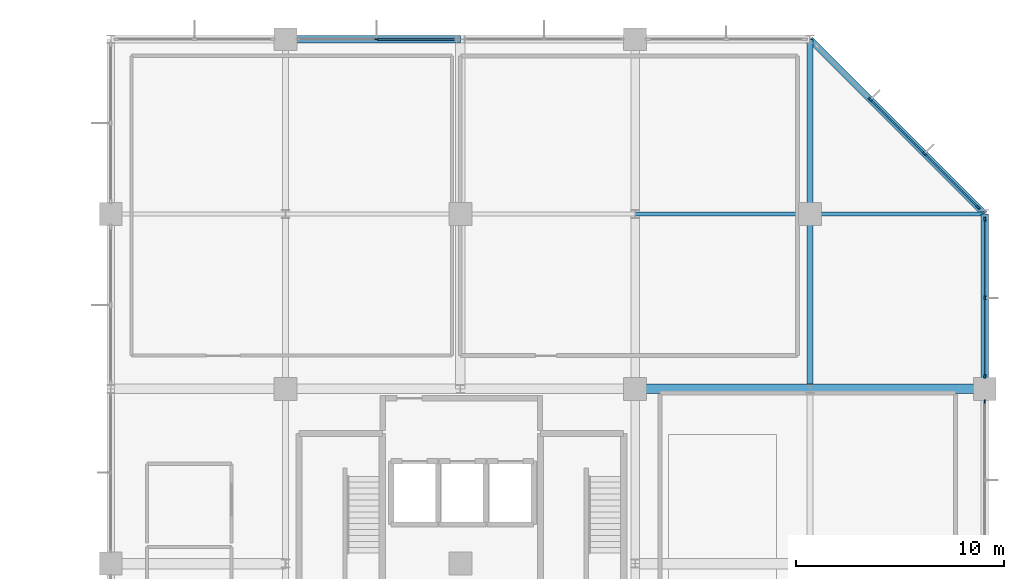
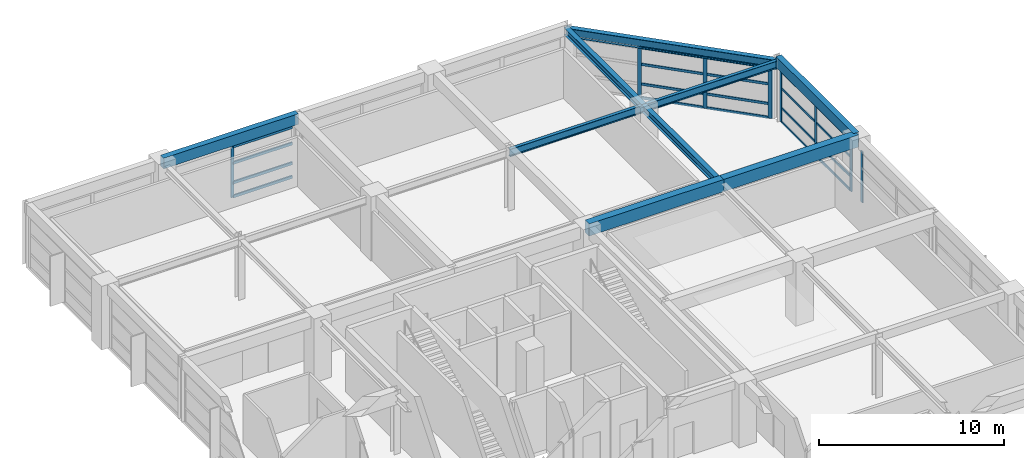
# One storey, part 10 of 18: 28 members, 9 beams, 4 elements without a shape of their own.
"""IFC4 building model written with IfcOpenShell, lengths in metres."""

from ifc_helpers import new_model, si_unit, direction, frame, origin, origin_2d, place, context, subcontext, project, spatial, rectangle, i_section, extrude, material, material_profile, profile_set, type_object, element, aggregate, save


model = new_model("IFC4")

# Units and contexts
model_context = context("Model", 3, precision=1e-05, world=origin(), true_north=direction((0.0, 1.0)))
body_context = subcontext(model_context, "Body", "Model", "MODEL_VIEW")
ifc_project = project(units=[si_unit("LENGTHUNIT", "METRE"), si_unit("AREAUNIT", "SQUARE_METRE"), si_unit("VOLUMEUNIT", "CUBIC_METRE"), si_unit("PLANEANGLEUNIT", "RADIAN"), si_unit("MASSUNIT", "GRAM", prefix="KILO")], contexts=[model_context])

# Site, building, storey
site_placement = place(None, origin())
site = spatial("IfcSite", under=ifc_project, at=site_placement, CompositionType="ELEMENT")
building_placement = place(site_placement, origin())
building = spatial("IfcBuilding", under=site, at=building_placement, Name="Xuanlan Plaza Opera House", CompositionType="ELEMENT")
storey_placement = place(building_placement, frame((0.0, 0.0, 32.10009765625)))
storey = spatial("IfcBuildingStorey", under=building, at=storey_placement, Name="L07", CompositionType="ELEMENT", Elevation=32.10009765625)

# Curtain wall, member
ifc_material_1 = material(Name="Anodised Aluminium 6063-T6 and Low-E Glass", Category="aluminium")
curtain_wall_type_1 = type_object("IfcCurtainWallType", Name="ENV-CW-CW-01", PredefinedType="USERDEFINED", material=ifc_material_1)
curtain_wall_1_placement = place(storey_placement, origin())
curtain_wall_1 = element("IfcCurtainWall", 1, at=curtain_wall_1_placement, inside=storey, type_object=curtain_wall_type_1, Name="Unitised Curtain Wall L07-008", ObjectType="UNITISED CURTAIN WALL", PredefinedType="USERDEFINED")
ifc_material_2 = material(Name="Anodised Aluminium 6063-T6", Category="aluminium")
ifc_material_profile_1 = material_profile(ifc_material_2, rectangle(XDim=0.070068359375, YDim=0.179931640625, at=origin_2d()), Name="ALU-M 70x180")
ifc_profile_set_1 = profile_set([ifc_material_profile_1], Name="Anodised Aluminium 6063-T6")
member_type_1 = type_object("IfcMemberType", Name="ENV-CWM-02", PredefinedType="MULLION", material=ifc_profile_set_1)
member_1_placement = place(storey_placement, frame((168.0, 66.594970703125, 0.0), z_axis=(0.0, 0.0, 1.0), x_axis=(-1.0, 0.0, 0.0)))
member_1 = element("IfcMember", 2, at=member_1_placement, type_object=member_type_1, Name="CW-01 mullion 3", PredefinedType="MULLION", context=body_context, shape_type="SweptSolid", body=[
    extrude(rectangle(XDim=0.070068359375, YDim=0.179931640625, at=origin_2d()), origin(), (0.0, 0.0, 1.0), 3.3798828125),
])
aggregate(curtain_wall_1, [member_1])

curtain_wall_type_2 = type_object("IfcCurtainWallType", Name="ENV-CW-CW-02", PredefinedType="USERDEFINED", material=ifc_material_1)
curtain_wall_2_placement = place(storey_placement, origin())
curtain_wall_2 = element("IfcCurtainWall", 3, at=curtain_wall_2_placement, inside=storey, type_object=curtain_wall_type_2, Name="Unitised Curtain Wall L07-013", ObjectType="UNITISED CURTAIN WALL", PredefinedType="USERDEFINED")
member_2_placement = place(storey_placement, frame((138.77490234375, 84.0, 0.0), z_axis=(0.0, 0.0, 1.0), x_axis=(0.0, -1.0, 0.0)))
member_2 = element("IfcMember", 4, at=member_2_placement, type_object=member_type_1, Name="CW-02 mullion 2", PredefinedType="MULLION", context=body_context, shape_type="SweptSolid", body=[
    extrude(rectangle(XDim=0.070068359375, YDim=0.179931640625, at=origin_2d()), origin(), (0.0, 0.0, 1.0), 3.3798828125),
])

# Curtain wall, members
curtain_wall_3_placement = place(storey_placement, origin())
curtain_wall_3 = element("IfcCurtainWall", 5, at=curtain_wall_3_placement, inside=storey, type_object=curtain_wall_type_2, Name="Unitised Curtain Wall L07-009", ObjectType="UNITISED CURTAIN WALL", PredefinedType="USERDEFINED")
ifc_material_profile_2 = material_profile(ifc_material_2, rectangle(XDim=0.074951171875, YDim=0.199951171875, at=origin_2d()), Name="ALU-M 75x200")
ifc_profile_set_2 = profile_set([ifc_material_profile_2], Name="Anodised Aluminium 6063-T6")
member_type_2 = type_object("IfcMemberType", Name="ENV-CWM-03", PredefinedType="MULLION", material=ifc_profile_set_2)
member_3_placement = place(storey_placement, frame((168.0, 67.8076171875, 0.0), z_axis=(0.0, 0.0, 1.0), x_axis=(-1.0, 0.0, 0.0)))
member_3 = element("IfcMember", 6, at=member_3_placement, type_object=member_type_2, Name="CW-02 mullion 1", PredefinedType="MULLION", context=body_context, shape_type="SweptSolid", body=[
    extrude(rectangle(XDim=0.074951171875, YDim=0.199951171875, at=origin_2d()), origin(), (0.0, 0.0, 1.0), 3.3798828125),
])
member_4_placement = place(storey_placement, frame((168.0, 71.574951171875, 0.0), z_axis=(0.0, 0.0, 1.0), x_axis=(-1.0, 0.0, 0.0)))
member_4 = element("IfcMember", 7, at=member_4_placement, type_object=member_type_2, Name="CW-02 mullion 2", PredefinedType="MULLION", context=body_context, shape_type="SweptSolid", body=[
    extrude(rectangle(XDim=0.074951171875, YDim=0.199951171875, at=origin_2d()), origin(), (0.0, 0.0, 1.0), 3.3798828125),
])
member_5_placement = place(storey_placement, frame((168.0, 75.342529296875, 0.0), z_axis=(0.0, 0.0, 1.0), x_axis=(-1.0, 0.0, 0.0)))
member_5 = element("IfcMember", 8, at=member_5_placement, type_object=member_type_2, Name="CW-02 mullion 3", PredefinedType="MULLION", context=body_context, shape_type="SweptSolid", body=[
    extrude(rectangle(XDim=0.074951171875, YDim=0.199951171875, at=origin_2d()), origin(), (0.0, 0.0, 1.0), 3.3798828125),
])

curtain_wall_type_3 = type_object("IfcCurtainWallType", Name="ENV-CW-CW-03", PredefinedType="USERDEFINED", material=ifc_material_1)
curtain_wall_4_placement = place(storey_placement, origin())
curtain_wall_4 = element("IfcCurtainWall", 9, at=curtain_wall_4_placement, inside=storey, type_object=curtain_wall_type_3, Name="Unitised Curtain Wall L07-010", ObjectType="UNITISED CURTAIN WALL", PredefinedType="USERDEFINED")
ifc_material_profile_3 = material_profile(ifc_material_2, rectangle(XDim=0.080078125, YDim=0.219970703125, at=origin_2d()), Name="ALU-M 80x220")
ifc_profile_set_3 = profile_set([ifc_material_profile_3], Name="Anodised Aluminium 6063-T6")
member_type_3 = type_object("IfcMemberType", Name="ENV-CWM-04", PredefinedType="MULLION", material=ifc_profile_set_3)
member_6_placement = place(storey_placement, frame((167.672607421875, 75.92724609375, 0.0), z_axis=(0.0, 0.0, 1.0), x_axis=(-0.707106781187, -0.707106781187, 0.0)))
member_6 = element("IfcMember", 10, at=member_6_placement, type_object=member_type_3, Name="CW-03 mullion 1", PredefinedType="MULLION", context=body_context, shape_type="SweptSolid", body=[
    extrude(rectangle(XDim=0.080078125, YDim=0.219970703125, at=origin_2d()), origin(), (0.0, 0.0, 1.0), 3.3798828125),
])
member_7_placement = place(storey_placement, frame((165.100341796875, 78.499755859375, 0.0), z_axis=(0.0, 0.0, 1.0), x_axis=(-0.707106781187, -0.707106781187, 0.0)))
member_7 = element("IfcMember", 11, at=member_7_placement, type_object=member_type_3, Name="CW-03 mullion 2", PredefinedType="MULLION", context=body_context, shape_type="SweptSolid", body=[
    extrude(rectangle(XDim=0.080078125, YDim=0.219970703125, at=origin_2d()), origin(), (0.0, 0.0, 1.0), 3.3798828125),
])
member_8_placement = place(storey_placement, frame((162.499755859375, 81.100341796875, 0.0), z_axis=(0.0, 0.0, 1.0), x_axis=(-0.707106781187, -0.707106781187, 0.0)))
member_8 = element("IfcMember", 12, at=member_8_placement, type_object=member_type_3, Name="CW-03 mullion 3", PredefinedType="MULLION", context=body_context, shape_type="SweptSolid", body=[
    extrude(rectangle(XDim=0.080078125, YDim=0.219970703125, at=origin_2d()), origin(), (0.0, 0.0, 1.0), 3.3798828125),
])

# Member
ifc_material_profile_4 = material_profile(ifc_material_2, rectangle(XDim=0.070068359375, YDim=0.135009765625, at=origin_2d()), Name="ALU-T 70x135")
ifc_profile_set_4 = profile_set([ifc_material_profile_4], Name="Anodised Aluminium 6063-T6")
member_type_4 = type_object("IfcMemberType", Name="ENV-CWT-02", PredefinedType="USERDEFINED", material=ifc_profile_set_4)
member_9_placement = place(storey_placement, frame((168.0, 67.844970703125, 0.034912109375), z_axis=(0.0, 1.0, 0.0), x_axis=(-1.0, 0.0, 0.0)))
member_9 = element("IfcMember", 13, at=member_9_placement, type_object=member_type_4, Name="CW-02 transom 1.1", ObjectType="TRANSOM", PredefinedType="USERDEFINED", context=body_context, shape_type="SweptSolid", body=[
    extrude(rectangle(XDim=0.070068359375, YDim=0.135009765625, at=origin_2d()), origin(), (0.0, 0.0, 1.0), 3.692626953125),
])

member_10_placement = place(storey_placement, frame((168.0, 67.844970703125, 0.949951171875), z_axis=(0.0, 1.0, 0.0), x_axis=(-1.0, 0.0, 0.0)))
member_10 = element("IfcMember", 14, at=member_10_placement, type_object=member_type_4, Name="CW-02 transom 1.2", ObjectType="TRANSOM", PredefinedType="USERDEFINED", context=body_context, shape_type="SweptSolid", body=[
    extrude(rectangle(XDim=0.070068359375, YDim=0.135009765625, at=origin_2d()), origin(), (0.0, 0.0, 1.0), 3.692626953125),
])

member_11_placement = place(storey_placement, frame((168.0, 67.844970703125, 2.25), z_axis=(0.0, 1.0, 0.0), x_axis=(-1.0, 0.0, 0.0)))
member_11 = element("IfcMember", 15, at=member_11_placement, type_object=member_type_4, Name="CW-02 transom 1.3", ObjectType="TRANSOM", PredefinedType="USERDEFINED", context=body_context, shape_type="SweptSolid", body=[
    extrude(rectangle(XDim=0.070068359375, YDim=0.135009765625, at=origin_2d()), origin(), (0.0, 0.0, 1.0), 3.692626953125),
])

member_12_placement = place(storey_placement, frame((168.0, 67.844970703125, 3.344970703125), z_axis=(0.0, 1.0, 0.0), x_axis=(-1.0, 0.0, 0.0)))
member_12 = element("IfcMember", 16, at=member_12_placement, type_object=member_type_4, Name="CW-02 transom 1.4", ObjectType="TRANSOM", PredefinedType="USERDEFINED", context=body_context, shape_type="SweptSolid", body=[
    extrude(rectangle(XDim=0.070068359375, YDim=0.135009765625, at=origin_2d()), origin(), (0.0, 0.0, 1.0), 3.692626953125),
])

member_13_placement = place(storey_placement, frame((168.0, 71.612548828125, 0.034912109375), z_axis=(0.0, 1.0, 0.0), x_axis=(-1.0, 0.0, 0.0)))
member_13 = element("IfcMember", 17, at=member_13_placement, type_object=member_type_4, Name="CW-02 transom 2.1", ObjectType="TRANSOM", PredefinedType="USERDEFINED", context=body_context, shape_type="SweptSolid", body=[
    extrude(rectangle(XDim=0.070068359375, YDim=0.135009765625, at=origin_2d()), origin(), (0.0, 0.0, 1.0), 3.6923828125),
])

member_14_placement = place(storey_placement, frame((168.0, 71.612548828125, 0.949951171875), z_axis=(0.0, 1.0, 0.0), x_axis=(-1.0, 0.0, 0.0)))
member_14 = element("IfcMember", 18, at=member_14_placement, type_object=member_type_4, Name="CW-02 transom 2.2", ObjectType="TRANSOM", PredefinedType="USERDEFINED", context=body_context, shape_type="SweptSolid", body=[
    extrude(rectangle(XDim=0.070068359375, YDim=0.135009765625, at=origin_2d()), origin(), (0.0, 0.0, 1.0), 3.6923828125),
])

member_15_placement = place(storey_placement, frame((168.0, 71.612548828125, 2.25), z_axis=(0.0, 1.0, 0.0), x_axis=(-1.0, 0.0, 0.0)))
member_15 = element("IfcMember", 19, at=member_15_placement, type_object=member_type_4, Name="CW-02 transom 2.3", ObjectType="TRANSOM", PredefinedType="USERDEFINED", context=body_context, shape_type="SweptSolid", body=[
    extrude(rectangle(XDim=0.070068359375, YDim=0.135009765625, at=origin_2d()), origin(), (0.0, 0.0, 1.0), 3.6923828125),
])

member_16_placement = place(storey_placement, frame((168.0, 71.612548828125, 3.344970703125), z_axis=(0.0, 1.0, 0.0), x_axis=(-1.0, 0.0, 0.0)))
member_16 = element("IfcMember", 20, at=member_16_placement, type_object=member_type_4, Name="CW-02 transom 2.4", ObjectType="TRANSOM", PredefinedType="USERDEFINED", context=body_context, shape_type="SweptSolid", body=[
    extrude(rectangle(XDim=0.070068359375, YDim=0.135009765625, at=origin_2d()), origin(), (0.0, 0.0, 1.0), 3.6923828125),
])

aggregate(curtain_wall_3, [member_3, member_4, member_5, member_9, member_10, member_11, member_12, member_13, member_14, member_15, member_16])

ifc_material_profile_5 = material_profile(ifc_material_2, rectangle(XDim=0.080078125, YDim=0.1650390625, at=origin_2d()), Name="ALU-T 80x165")
ifc_profile_set_5 = profile_set([ifc_material_profile_5], Name="Anodised Aluminium 6063-T6")
member_type_5 = type_object("IfcMemberType", Name="ENV-CWT-04", PredefinedType="USERDEFINED", material=ifc_profile_set_5)
member_17_placement = place(storey_placement, frame((167.64453125, 75.95556640625, 0.039794921875), z_axis=(-0.707106781187, 0.707106781187, 0.0), x_axis=(-0.707106781187, -0.707106781187, 0.0)))
member_17 = element("IfcMember", 21, at=member_17_placement, type_object=member_type_5, Name="CW-03 transom 1.1", ObjectType="TRANSOM", PredefinedType="USERDEFINED", context=body_context, shape_type="SweptSolid", body=[
    extrude(rectangle(XDim=0.080078125, YDim=0.1650390625, at=origin_2d()), origin(), (0.0, 0.0, 1.0), 3.557861328125),
])

member_18_placement = place(storey_placement, frame((167.64453125, 75.95556640625, 0.949951171875), z_axis=(-0.707106781187, 0.707106781187, 0.0), x_axis=(-0.707106781187, -0.707106781187, 0.0)))
member_18 = element("IfcMember", 22, at=member_18_placement, type_object=member_type_5, Name="CW-03 transom 1.2", ObjectType="TRANSOM", PredefinedType="USERDEFINED", context=body_context, shape_type="SweptSolid", body=[
    extrude(rectangle(XDim=0.080078125, YDim=0.1650390625, at=origin_2d()), origin(), (0.0, 0.0, 1.0), 3.557861328125),
])

member_19_placement = place(storey_placement, frame((167.64453125, 75.95556640625, 2.25), z_axis=(-0.707106781187, 0.707106781187, 0.0), x_axis=(-0.707106781187, -0.707106781187, 0.0)))
member_19 = element("IfcMember", 23, at=member_19_placement, type_object=member_type_5, Name="CW-03 transom 1.3", ObjectType="TRANSOM", PredefinedType="USERDEFINED", context=body_context, shape_type="SweptSolid", body=[
    extrude(rectangle(XDim=0.080078125, YDim=0.1650390625, at=origin_2d()), origin(), (0.0, 0.0, 1.0), 3.557861328125),
])

member_20_placement = place(storey_placement, frame((167.64453125, 75.95556640625, 3.33984375), z_axis=(-0.707106781187, 0.707106781187, 0.0), x_axis=(-0.707106781187, -0.707106781187, 0.0)))
member_20 = element("IfcMember", 24, at=member_20_placement, type_object=member_type_5, Name="CW-03 transom 1.4", ObjectType="TRANSOM", PredefinedType="USERDEFINED", context=body_context, shape_type="SweptSolid", body=[
    extrude(rectangle(XDim=0.080078125, YDim=0.1650390625, at=origin_2d()), origin(), (0.0, 0.0, 1.0), 3.557861328125),
])

member_21_placement = place(storey_placement, frame((165.072021484375, 78.52783203125, 0.039794921875), z_axis=(-0.707106781187, 0.707106781187, 0.0), x_axis=(-0.707106781187, -0.707106781187, 0.0)))
member_21 = element("IfcMember", 25, at=member_21_placement, type_object=member_type_5, Name="CW-03 transom 2.1", ObjectType="TRANSOM", PredefinedType="USERDEFINED", context=body_context, shape_type="SweptSolid", body=[
    extrude(rectangle(XDim=0.080078125, YDim=0.1650390625, at=origin_2d()), origin(), (0.0, 0.0, 1.0), 3.59814453125),
])

member_22_placement = place(storey_placement, frame((165.072021484375, 78.52783203125, 0.949951171875), z_axis=(-0.707106781187, 0.707106781187, 0.0), x_axis=(-0.707106781187, -0.707106781187, 0.0)))
member_22 = element("IfcMember", 26, at=member_22_placement, type_object=member_type_5, Name="CW-03 transom 2.2", ObjectType="TRANSOM", PredefinedType="USERDEFINED", context=body_context, shape_type="SweptSolid", body=[
    extrude(rectangle(XDim=0.080078125, YDim=0.1650390625, at=origin_2d()), origin(), (0.0, 0.0, 1.0), 3.59814453125),
])

member_23_placement = place(storey_placement, frame((165.072021484375, 78.52783203125, 2.25), z_axis=(-0.707106781187, 0.707106781187, 0.0), x_axis=(-0.707106781187, -0.707106781187, 0.0)))
member_23 = element("IfcMember", 27, at=member_23_placement, type_object=member_type_5, Name="CW-03 transom 2.3", ObjectType="TRANSOM", PredefinedType="USERDEFINED", context=body_context, shape_type="SweptSolid", body=[
    extrude(rectangle(XDim=0.080078125, YDim=0.1650390625, at=origin_2d()), origin(), (0.0, 0.0, 1.0), 3.59814453125),
])

member_24_placement = place(storey_placement, frame((165.072021484375, 78.52783203125, 3.33984375), z_axis=(-0.707106781187, 0.707106781187, 0.0), x_axis=(-0.707106781187, -0.707106781187, 0.0)))
member_24 = element("IfcMember", 28, at=member_24_placement, type_object=member_type_5, Name="CW-03 transom 2.4", ObjectType="TRANSOM", PredefinedType="USERDEFINED", context=body_context, shape_type="SweptSolid", body=[
    extrude(rectangle(XDim=0.080078125, YDim=0.1650390625, at=origin_2d()), origin(), (0.0, 0.0, 1.0), 3.59814453125),
])

aggregate(curtain_wall_4, [member_6, member_7, member_8, member_17, member_18, member_19, member_20, member_21, member_22, member_23, member_24])

ifc_material_profile_6 = material_profile(ifc_material_2, rectangle(XDim=0.090087890625, YDim=0.179931640625, at=origin_2d()), Name="ALU-T 90x180")
ifc_profile_set_6 = profile_set([ifc_material_profile_6], Name="Anodised Aluminium 6063-T6")
member_type_6 = type_object("IfcMemberType", Name="ENV-CWT-05", PredefinedType="USERDEFINED", material=ifc_profile_set_6)
member_25_placement = place(storey_placement, frame((142.510009765625, 84.0, 0.044921875), z_axis=(-1.0, 0.0, 0.0), x_axis=(0.0, -1.0, 0.0)))
member_25 = element("IfcMember", 29, at=member_25_placement, type_object=member_type_6, Name="CW-02 transom 1.1", ObjectType="TRANSOM", PredefinedType="USERDEFINED", context=body_context, shape_type="SweptSolid", body=[
    extrude(rectangle(XDim=0.090087890625, YDim=0.179931640625, at=origin_2d()), origin(), (0.0, 0.0, 1.0), 3.699951171875),
])

member_26_placement = place(storey_placement, frame((142.510009765625, 84.0, 0.949951171875), z_axis=(-1.0, 0.0, 0.0), x_axis=(0.0, -1.0, 0.0)))
member_26 = element("IfcMember", 30, at=member_26_placement, type_object=member_type_6, Name="CW-02 transom 1.2", ObjectType="TRANSOM", PredefinedType="USERDEFINED", context=body_context, shape_type="SweptSolid", body=[
    extrude(rectangle(XDim=0.090087890625, YDim=0.179931640625, at=origin_2d()), origin(), (0.0, 0.0, 1.0), 3.699951171875),
])

member_27_placement = place(storey_placement, frame((142.510009765625, 84.0, 2.25), z_axis=(-1.0, 0.0, 0.0), x_axis=(0.0, -1.0, 0.0)))
member_27 = element("IfcMember", 31, at=member_27_placement, type_object=member_type_6, Name="CW-02 transom 1.3", ObjectType="TRANSOM", PredefinedType="USERDEFINED", context=body_context, shape_type="SweptSolid", body=[
    extrude(rectangle(XDim=0.090087890625, YDim=0.179931640625, at=origin_2d()), origin(), (0.0, 0.0, 1.0), 3.699951171875),
])

member_28_placement = place(storey_placement, frame((142.510009765625, 84.0, 3.3349609375), z_axis=(-1.0, 0.0, 0.0), x_axis=(0.0, -1.0, 0.0)))
member_28 = element("IfcMember", 32, at=member_28_placement, type_object=member_type_6, Name="CW-02 transom 1.4", ObjectType="TRANSOM", PredefinedType="USERDEFINED", context=body_context, shape_type="SweptSolid", body=[
    extrude(rectangle(XDim=0.090087890625, YDim=0.179931640625, at=origin_2d()), origin(), (0.0, 0.0, 1.0), 3.699951171875),
])

aggregate(curtain_wall_2, [member_2, member_25, member_26, member_27, member_28])

# Beams
ifc_material_3 = material(Name="Concrete C40", Category="concrete")
ifc_material_profile_7 = material_profile(ifc_material_3, rectangle(XDim=0.449951171875, YDim=0.800048828125, at=origin_2d()), Name="RC-BM 450x800")
ifc_profile_set_7 = profile_set([ifc_material_profile_7], Name="Concrete C40")
beam_type_1 = type_object("IfcBeamType", Name="STR-BM-B-05", PredefinedType="BEAM", material=ifc_profile_set_7)
beam_1_placement = place(storey_placement, frame((151.199951171875, 67.199951171875, 3.7998046875), z_axis=(1.0, 0.0, 0.0), x_axis=(0.0, 1.0, 0.0)))
element("IfcBeam", 33, at=beam_1_placement, inside=storey, type_object=beam_type_1, Name="Grid Beam X L07 19-20/I", PredefinedType="BEAM", context=body_context, shape_type="SweptSolid", body=[
    extrude(rectangle(XDim=0.449951171875, YDim=0.800048828125, at=origin_2d()), origin(), (0.0, 0.0, 1.0), 8.400146484375),
])
beam_2_placement = place(storey_placement, frame((159.60009765625, 67.199951171875, 3.7998046875), z_axis=(1.0, 0.0, 0.0), x_axis=(0.0, 1.0, 0.0)))
element("IfcBeam", 34, at=beam_2_placement, inside=storey, type_object=beam_type_1, Name="Grid Beam X L07 20-21/I", PredefinedType="BEAM", context=body_context, shape_type="SweptSolid", body=[
    extrude(rectangle(XDim=0.449951171875, YDim=0.800048828125, at=origin_2d()), origin(), (0.0, 0.0, 1.0), 8.39990234375),
])
ifc_material_4 = material(Name="Steel Q355B", Category="steel")
ifc_material_profile_8 = material_profile(ifc_material_4, i_section(OverallWidth=0.199951171875, OverallDepth=0.5, WebThickness=0.010009765625, FlangeThickness=0.01611328125, FilletRadius=0.02001953125, at=origin_2d()), Name="HN 500x200x10x16")
ifc_profile_set_8 = profile_set([ifc_material_profile_8], Name="Steel Q355B")
beam_type_2 = type_object("IfcBeamType", Name="STR-BM-SB-05", PredefinedType="BEAM", material=ifc_profile_set_8)
beam_3_placement = place(storey_placement, frame((151.199951171875, 75.60009765625, 3.704833984375), z_axis=(1.0, 0.0, 0.0), x_axis=(0.0, 1.0, 0.0)))
element("IfcBeam", 35, at=beam_3_placement, inside=storey, type_object=beam_type_2, Name="Grid Beam X L07 19-20/J", PredefinedType="BEAM", context=body_context, shape_type="SweptSolid", body=[
    extrude(i_section(OverallWidth=0.199951171875, OverallDepth=0.5, WebThickness=0.010009765625, FlangeThickness=0.01611328125, FilletRadius=0.02001953125, at=origin_2d()), origin(), (0.0, 0.0, 1.0), 8.400146484375),
])
beam_4_placement = place(storey_placement, frame((159.60009765625, 75.60009765625, 3.704833984375), z_axis=(1.0, 0.0, 0.0), x_axis=(0.0, 1.0, 0.0)))
element("IfcBeam", 36, at=beam_4_placement, inside=storey, type_object=beam_type_2, Name="Grid Beam X L07 20-21/J", PredefinedType="BEAM", context=body_context, shape_type="SweptSolid", body=[
    extrude(i_section(OverallWidth=0.199951171875, OverallDepth=0.5, WebThickness=0.010009765625, FlangeThickness=0.01611328125, FilletRadius=0.02001953125, at=origin_2d()), origin(), (0.0, 0.0, 1.0), 8.39990234375),
])
ifc_material_profile_9 = material_profile(ifc_material_4, i_section(OverallWidth=0.300048828125, OverallDepth=0.488037109375, WebThickness=0.010986328125, FlangeThickness=0.01806640625, FilletRadius=0.02197265625, at=origin_2d()), Name="HM 488x300x11x18")
ifc_profile_set_9 = profile_set([ifc_material_profile_9], Name="Steel Q355B")
beam_type_3 = type_object("IfcBeamType", Name="STR-BM-SB-07", PredefinedType="BEAM", material=ifc_profile_set_9)
beam_5_placement = place(storey_placement, frame((159.60009765625, 67.199951171875, 3.7109375), z_axis=(0.0, 1.0, 0.0), x_axis=(-1.0, 0.0, 0.0)))
element("IfcBeam", 37, at=beam_5_placement, inside=storey, type_object=beam_type_3, Name="Grid Beam Y L07 20/I-J", PredefinedType="BEAM", context=body_context, shape_type="SweptSolid", body=[
    extrude(i_section(OverallWidth=0.300048828125, OverallDepth=0.488037109375, WebThickness=0.010986328125, FlangeThickness=0.01806640625, FilletRadius=0.02197265625, at=origin_2d()), origin(), (0.0, 0.0, 1.0), 8.400146484375),
])
beam_6_placement = place(storey_placement, frame((159.60009765625, 75.60009765625, 3.7109375), z_axis=(0.0, 1.0, 0.0), x_axis=(-1.0, 0.0, 0.0)))
element("IfcBeam", 38, at=beam_6_placement, inside=storey, type_object=beam_type_3, Name="Grid Beam Y L07 20/J-K", PredefinedType="BEAM", context=body_context, shape_type="SweptSolid", body=[
    extrude(i_section(OverallWidth=0.300048828125, OverallDepth=0.488037109375, WebThickness=0.010986328125, FlangeThickness=0.01806640625, FilletRadius=0.02197265625, at=origin_2d()), origin(), (0.0, 0.0, 1.0), 8.39990234375),
])
ifc_material_profile_10 = material_profile(ifc_material_3, rectangle(XDim=0.35009765625, YDim=0.699951171875, at=origin_2d()), Name="RC-SPD 350x700")
ifc_profile_set_10 = profile_set([ifc_material_profile_10], Name="Concrete C40")
beam_type_4 = type_object("IfcBeamType", Name="STR-BM-SP-02", PredefinedType="SPANDREL", material=ifc_profile_set_10)
for number, where, z_axis, x_axis, name in (
    (39, (134.39990234375, 84.0, 3.849853515625), (1.0, 0.0, 0.0), (0.0, 1.0, 0.0), "Grid Beam X L07 17-18/K"),
    (40, (168.0, 67.199951171875, 3.849853515625), (0.0, 1.0, 0.0), (-1.0, 0.0, 0.0), "Grid Beam Y L07 21/I-J"),
):
    element("IfcBeam", number, at=place(storey_placement, frame(where, z_axis=z_axis, x_axis=x_axis)), inside=storey, type_object=beam_type_4, Name=name, PredefinedType="SPANDREL", context=body_context, shape_type="SweptSolid", body=[
        extrude(rectangle(XDim=0.35009765625, YDim=0.699951171875, at=origin_2d()), origin(), (0.0, 0.0, 1.0), 8.400146484375),
    ])
ifc_material_profile_11 = material_profile(ifc_material_4, i_section(OverallWidth=0.300048828125, OverallDepth=0.587890625, WebThickness=0.011962890625, FlangeThickness=0.02001953125, FilletRadius=0.02392578125, at=origin_2d()), Name="HM 588x300x12x20")
ifc_profile_set_11 = profile_set([ifc_material_profile_11], Name="Steel Q355B")
beam_type_5 = type_object("IfcBeamType", Name="STR-BM-SP-03", PredefinedType="SPANDREL", material=ifc_profile_set_11)
beam_7_placement = place(storey_placement, frame((168.0, 75.60009765625, 3.660888671875), z_axis=(-0.707106781187, 0.707106781187, 0.0), x_axis=(-0.707106781187, -0.707106781187, 0.0)))
element("IfcBeam", 41, at=beam_7_placement, inside=storey, type_object=beam_type_5, Name="Faceted Edge Spandrel L07 CH03", PredefinedType="SPANDREL", context=body_context, shape_type="SweptSolid", body=[
    extrude(i_section(OverallWidth=0.300048828125, OverallDepth=0.587890625, WebThickness=0.011962890625, FlangeThickness=0.02001953125, FilletRadius=0.02392578125, at=origin_2d()), origin(), (0.0, 0.0, 1.0), 11.879150390625),
])

save(model, "model.ifc")
